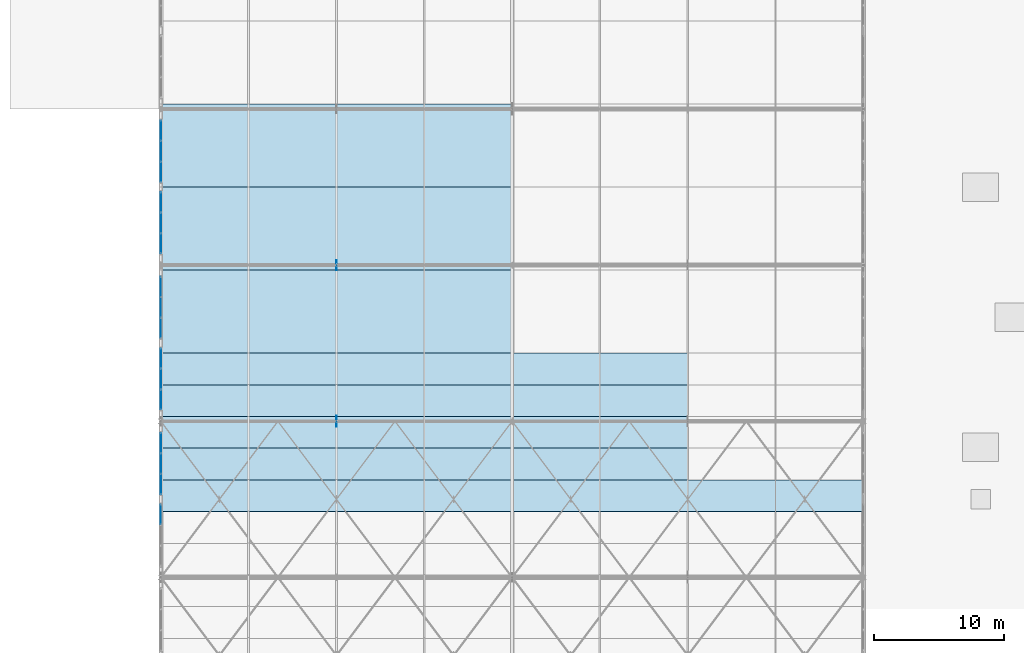
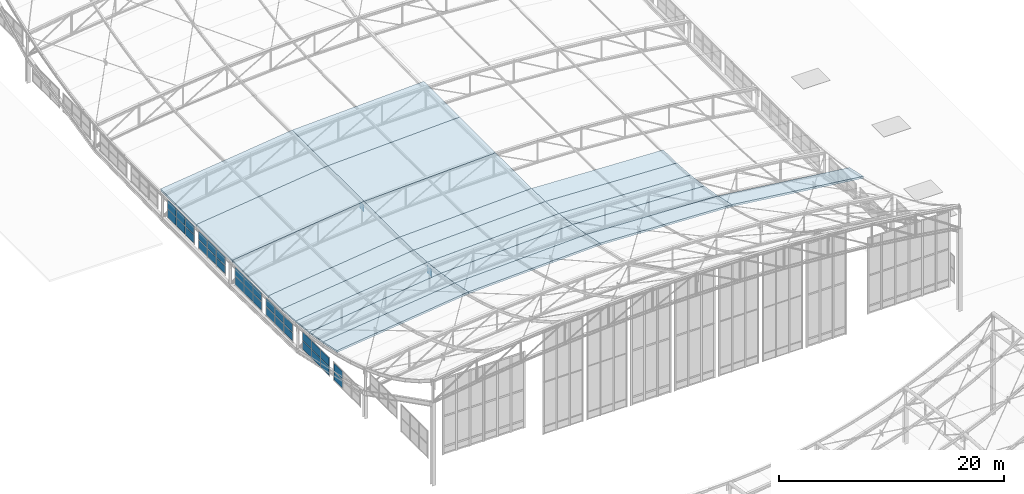
# One storey, part 223 of 262: 34 plates, 22 slabs, 6 elements without a shape of their own.
"""IFC4 building model written with IfcOpenShell, lengths in metres."""

from ifc_helpers import new_model, si_unit, derived_unit, direction, frame, origin, origin_2d, place, context, subcontext, project, spatial, polyline, rectangle, outline, extrude, material, layer, layer_set, type_object, element, aggregate, save


model = new_model("IFC4")

# Units and contexts
model_context = context("Model", 3, precision=1e-05, world=origin(), true_north=direction((0.0, 1.0)))
body_context = subcontext(model_context, "Body", "Model", "MODEL_VIEW")
ifc_project = project(units=[si_unit("LENGTHUNIT", "METRE"), si_unit("AREAUNIT", "SQUARE_METRE"), si_unit("VOLUMEUNIT", "CUBIC_METRE"), si_unit("PLANEANGLEUNIT", "RADIAN"), si_unit("MASSUNIT", "GRAM", prefix="KILO"), derived_unit("THERMALTRANSMITTANCEUNIT", [(si_unit("POWERUNIT", "WATT"), 1), (si_unit("LENGTHUNIT", "METRE"), -2), (si_unit("THERMODYNAMICTEMPERATUREUNIT", "KELVIN"), -1)])], contexts=[model_context])

# Site, building, storey
site_placement = place(None, origin())
site = spatial("IfcSite", under=ifc_project, at=site_placement, CompositionType="ELEMENT")
building_placement = place(site_placement, origin())
building = spatial("IfcBuilding", under=site, at=building_placement, Name="Almenara Railside Exhibition Hall", CompositionType="ELEMENT")
storey_placement = place(building_placement, frame((0.0, 0.0, 21.699951171875)))
storey = spatial("IfcBuildingStorey", under=building, at=storey_placement, Name="RF", CompositionType="ELEMENT", Elevation=21.699951171875)

# Curtain wall, plates
ifc_material_1 = material(Name="Bronze-anodised aluminium and low-E double glazing", Category="aluminium")
ifc_layer_1 = layer(ifc_material_1, 0.179931640625, Name="Bronze-anodised aluminium and low-E double glazing")
ifc_layer_set_1 = layer_set([ifc_layer_1], Name="Bronze-anodised aluminium and low-E double glazing")
curtain_wall_type = type_object("IfcCurtainWallType", Name="West Hall Clerestory Curtain Wall 4200x2400", PredefinedType="NOTDEFINED", material=ifc_layer_set_1)
curtain_wall_1_placement = place(storey_placement, origin())
curtain_wall_1 = element("IfcCurtainWall", 1, at=curtain_wall_1_placement, inside=storey, type_object=curtain_wall_type, Name="Curtain wall CW-CL1-180", PredefinedType="NOTDEFINED")
ifc_material_2 = material(Name="Solar-control acoustic laminated glazing", Category="glass")
ifc_layer_2 = layer(ifc_material_2, 0.031982421875, Name="Solar-control acoustic laminated glazing")
ifc_layer_set_2 = layer_set([ifc_layer_2], Name="Solar-control acoustic laminated glazing")
plate_type_1 = type_object("IfcPlateType", Name="Acoustic Low-E Double Glazing Panel 32mm", PredefinedType="CURTAIN_PANEL", material=ifc_layer_set_2)
plate_1_placement = place(storey_placement, frame((12.0, 85.666259765625, -1.92578125), z_axis=(0.0, 0.0, 1.0), x_axis=(0.0, 1.0, 0.0)))
plate_1 = element("IfcPlate", 2, at=plate_1_placement, type_object=plate_type_1, Name="CW-CL1-180 panel 1.1", PredefinedType="CURTAIN_PANEL", context=body_context, shape_type="SweptSolid", body=[
    extrude(rectangle(XDim=1.5185546875, YDim=0.031982421875, at=origin_2d()), origin(), (0.0, 0.0, 1.0), 0.846923828125),
])
plate_2_placement = place(storey_placement, frame((12.0, 85.666259765625, -0.970703125), z_axis=(0.0, 0.0, 1.0), x_axis=(0.0, 1.0, 0.0)))
plate_2 = element("IfcPlate", 3, at=plate_2_placement, type_object=plate_type_1, Name="CW-CL1-180 panel 1.2", PredefinedType="CURTAIN_PANEL", context=body_context, shape_type="SweptSolid", body=[
    extrude(rectangle(XDim=1.5185546875, YDim=0.031982421875, at=origin_2d()), origin(), (0.0, 0.0, 1.0), 0.846923828125),
])
plate_3_placement = place(storey_placement, frame((12.0, 87.25, -1.92578125), z_axis=(0.0, 0.0, 1.0), x_axis=(0.0, 1.0, 0.0)))
plate_3 = element("IfcPlate", 4, at=plate_3_placement, type_object=plate_type_1, Name="CW-CL1-180 panel 2.1", PredefinedType="CURTAIN_PANEL", context=body_context, shape_type="SweptSolid", body=[
    extrude(rectangle(XDim=1.551025390625, YDim=0.031982421875, at=origin_2d()), origin(), (0.0, 0.0, 1.0), 0.846923828125),
])
plate_4_placement = place(storey_placement, frame((12.0, 87.25, -0.970703125), z_axis=(0.0, 0.0, 1.0), x_axis=(0.0, 1.0, 0.0)))
plate_4 = element("IfcPlate", 5, at=plate_4_placement, type_object=plate_type_1, Name="CW-CL1-180 panel 2.2", PredefinedType="CURTAIN_PANEL", context=body_context, shape_type="SweptSolid", body=[
    extrude(rectangle(XDim=1.551025390625, YDim=0.031982421875, at=origin_2d()), origin(), (0.0, 0.0, 1.0), 0.846923828125),
])
plate_5_placement = place(storey_placement, frame((12.0, 88.833740234375, -1.92578125), z_axis=(0.0, 0.0, 1.0), x_axis=(0.0, 1.0, 0.0)))
plate_5 = element("IfcPlate", 6, at=plate_5_placement, type_object=plate_type_1, Name="CW-CL1-180 panel 3.1", PredefinedType="CURTAIN_PANEL", context=body_context, shape_type="SweptSolid", body=[
    extrude(rectangle(XDim=1.5185546875, YDim=0.031982421875, at=origin_2d()), origin(), (0.0, 0.0, 1.0), 0.846923828125),
])
plate_6_placement = place(storey_placement, frame((12.0, 88.833740234375, -0.970703125), z_axis=(0.0, 0.0, 1.0), x_axis=(0.0, 1.0, 0.0)))
plate_6 = element("IfcPlate", 7, at=plate_6_placement, type_object=plate_type_1, Name="CW-CL1-180 panel 3.2", PredefinedType="CURTAIN_PANEL", context=body_context, shape_type="SweptSolid", body=[
    extrude(rectangle(XDim=1.5185546875, YDim=0.031982421875, at=origin_2d()), origin(), (0.0, 0.0, 1.0), 0.846923828125),
])
aggregate(curtain_wall_1, [plate_1, plate_2, plate_3, plate_4, plate_5, plate_6])

curtain_wall_2_placement = place(storey_placement, origin())
curtain_wall_2 = element("IfcCurtainWall", 8, at=curtain_wall_2_placement, inside=storey, type_object=curtain_wall_type, Name="Curtain wall CW-CL1-172", PredefinedType="NOTDEFINED")
ifc_material_3 = material(Name="Clear low-E laminated double glazing", Category="glass")
ifc_layer_3 = layer(ifc_material_3, 0.02392578125, Name="Clear low-E laminated double glazing")
ifc_layer_set_3 = layer_set([ifc_layer_3], Name="Clear low-E laminated double glazing")
plate_type_2 = type_object("IfcPlateType", Name="Courtyard Clear Double Glazing Panel 24mm", PredefinedType="CURTAIN_PANEL", material=ifc_layer_set_3)
plate_7_placement = place(storey_placement, frame((12.0, 64.833740234375, -1.666015625), z_axis=(0.0, 0.0, 1.0), x_axis=(0.0, 1.0, 0.0)))
plate_7 = element("IfcPlate", 9, at=plate_7_placement, type_object=plate_type_2, Name="CW-CL1-172 panel 3.1", PredefinedType="CURTAIN_PANEL", context=body_context, shape_type="SweptSolid", body=[
    extrude(rectangle(XDim=1.5185546875, YDim=0.02392578125, at=origin_2d()), origin(), (0.0, 0.0, 1.0), 0.846923828125),
])
plate_8_placement = place(storey_placement, frame((12.0, 64.833740234375, -0.7109375), z_axis=(0.0, 0.0, 1.0), x_axis=(0.0, 1.0, 0.0)))
plate_8 = element("IfcPlate", 10, at=plate_8_placement, type_object=plate_type_2, Name="CW-CL1-172 panel 3.2", PredefinedType="CURTAIN_PANEL", context=body_context, shape_type="SweptSolid", body=[
    extrude(rectangle(XDim=1.5185546875, YDim=0.02392578125, at=origin_2d()), origin(), (0.0, 0.0, 1.0), 0.846923828125),
])
aggregate(curtain_wall_2, [plate_7, plate_8])

curtain_wall_3_placement = place(storey_placement, origin())
curtain_wall_3 = element("IfcCurtainWall", 11, at=curtain_wall_3_placement, inside=storey, type_object=curtain_wall_type, Name="Curtain wall CW-CL1-177", PredefinedType="NOTDEFINED")
plate_9_placement = place(storey_placement, frame((12.0, 79.1650390625, -1.9560546875), z_axis=(0.0, 0.0, 1.0), x_axis=(0.0, 1.0, 0.0)))
plate_9 = element("IfcPlate", 12, at=plate_9_placement, type_object=plate_type_2, Name="CW-CL1-177 panel 1.1", PredefinedType="CURTAIN_PANEL", context=body_context, shape_type="SweptSolid", body=[
    extrude(rectangle(XDim=1.52587890625, YDim=0.02392578125, at=origin_2d()), origin(), (0.0, 0.0, 1.0), 0.89208984375),
])
plate_10_placement = place(storey_placement, frame((12.0, 79.1650390625, -0.986083984375), z_axis=(0.0, 0.0, 1.0), x_axis=(0.0, 1.0, 0.0)))
plate_10 = element("IfcPlate", 13, at=plate_10_placement, type_object=plate_type_2, Name="CW-CL1-177 panel 1.2", PredefinedType="CURTAIN_PANEL", context=body_context, shape_type="SweptSolid", body=[
    extrude(rectangle(XDim=1.52587890625, YDim=0.02392578125, at=origin_2d()), origin(), (0.0, 0.0, 1.0), 0.89208984375),
])
plate_11_placement = place(storey_placement, frame((12.0, 80.75, -1.9560546875), z_axis=(0.0, 0.0, 1.0), x_axis=(0.0, 1.0, 0.0)))
plate_11 = element("IfcPlate", 14, at=plate_11_placement, type_object=plate_type_2, Name="CW-CL1-177 panel 2.1", PredefinedType="CURTAIN_PANEL", context=body_context, shape_type="SweptSolid", body=[
    extrude(rectangle(XDim=1.555908203125, YDim=0.02392578125, at=origin_2d()), origin(), (0.0, 0.0, 1.0), 0.89208984375),
])
plate_12_placement = place(storey_placement, frame((12.0, 80.75, -0.986083984375), z_axis=(0.0, 0.0, 1.0), x_axis=(0.0, 1.0, 0.0)))
plate_12 = element("IfcPlate", 15, at=plate_12_placement, type_object=plate_type_2, Name="CW-CL1-177 panel 2.2", PredefinedType="CURTAIN_PANEL", context=body_context, shape_type="SweptSolid", body=[
    extrude(rectangle(XDim=1.555908203125, YDim=0.02392578125, at=origin_2d()), origin(), (0.0, 0.0, 1.0), 0.89208984375),
])
plate_13_placement = place(storey_placement, frame((12.0, 82.3349609375, -1.9560546875), z_axis=(0.0, 0.0, 1.0), x_axis=(0.0, 1.0, 0.0)))
plate_13 = element("IfcPlate", 16, at=plate_13_placement, type_object=plate_type_2, Name="CW-CL1-177 panel 3.1", PredefinedType="CURTAIN_PANEL", context=body_context, shape_type="SweptSolid", body=[
    extrude(rectangle(XDim=1.52587890625, YDim=0.02392578125, at=origin_2d()), origin(), (0.0, 0.0, 1.0), 0.89208984375),
])
plate_14_placement = place(storey_placement, frame((12.0, 82.3349609375, -0.986083984375), z_axis=(0.0, 0.0, 1.0), x_axis=(0.0, 1.0, 0.0)))
plate_14 = element("IfcPlate", 17, at=plate_14_placement, type_object=plate_type_2, Name="CW-CL1-177 panel 3.2", PredefinedType="CURTAIN_PANEL", context=body_context, shape_type="SweptSolid", body=[
    extrude(rectangle(XDim=1.52587890625, YDim=0.02392578125, at=origin_2d()), origin(), (0.0, 0.0, 1.0), 0.89208984375),
])
aggregate(curtain_wall_3, [plate_9, plate_10, plate_11, plate_12, plate_13, plate_14])

# Slabs
ifc_material_4 = material(Name="Planted green roof insulated steel S355JR deck", Category="steel")
ifc_layer_4 = layer(ifc_material_4, 0.2451171875, Name="Planted green roof insulated steel S355JR deck")
ifc_layer_set_4 = layer_set([ifc_layer_4], Name="Planted green roof insulated steel S355JR deck")
slab_type_1 = type_object("IfcSlabType", Name="Flat Planted Hall Roof Deck 245mm S355JR", PredefinedType="ROOF", material=ifc_layer_set_4)
slab_1_placement = place(storey_placement, frame((12.0, 77.240478515625, 0.340087890625), z_axis=(-0.121312355276, 0.0, 0.992614382556), x_axis=(0.992614382556, 0.0, 0.121312355276)))
element("IfcSlab", 18, at=slab_1_placement, inside=storey, type_object=slab_type_1, Name="V1 roof cassette RC-V1-13A", PredefinedType="ROOF", context=body_context, shape_type="SweptSolid", body=[
    extrude(outline(polyline([(0.0, 0.0), (13.600447703804157, 0.0), (13.600447703804157, 6.379638671875), (0.0, 6.379638671875), (0.0, 0.0)])), origin(), (0.0, 0.0, -1.0), 0.2451171875),
])
slab_2_placement = place(storey_placement, frame((25.5, 77.240478515625, 1.989990234375), z_axis=(-0.04071057978, 0.0, 0.99917098071), x_axis=(0.99917098071, 0.0, 0.04071057978)))
element("IfcSlab", 19, at=slab_2_placement, inside=storey, type_object=slab_type_1, Name="V1 roof cassette RC-V1-13B", PredefinedType="ROOF", context=body_context, shape_type="SweptSolid", body=[
    extrude(outline(polyline([(0.0, 0.0), (13.511201046291989, 0.0), (13.511201046291989, 6.379638671875), (0.0, 6.379638671875), (0.0, 0.0)])), origin(), (0.0, 0.0, -1.0), 0.2451171875),
])
slab_3_placement = place(storey_placement, frame((12.0, 83.6201171875, 0.340087890625), z_axis=(-0.121312355276, 0.0, 0.992614382556), x_axis=(0.992614382556, 0.0, 0.121312355276)))
element("IfcSlab", 20, at=slab_3_placement, inside=storey, type_object=slab_type_1, Name="V1 roof cassette RC-V1-14A", PredefinedType="ROOF", context=body_context, shape_type="SweptSolid", body=[
    extrude(outline(polyline([(0.0, 0.0), (13.600447703804157, 0.0), (13.600447703804157, 6.3798828125), (0.0, 6.3798828125), (0.0, 0.0)])), origin(), (0.0, 0.0, -1.0), 0.2451171875),
])
slab_4_placement = place(storey_placement, frame((25.5, 83.6201171875, 1.989990234375), z_axis=(-0.04071057978, 0.0, 0.99917098071), x_axis=(0.99917098071, 0.0, 0.04071057978)))
element("IfcSlab", 21, at=slab_4_placement, inside=storey, type_object=slab_type_1, Name="V1 roof cassette RC-V1-14B", PredefinedType="ROOF", context=body_context, shape_type="SweptSolid", body=[
    extrude(outline(polyline([(0.0, 0.0), (13.511201046291989, 0.0), (13.511201046291989, 6.3798828125), (0.0, 6.3798828125), (0.0, 0.0)])), origin(), (0.0, 0.0, -1.0), 0.2451171875),
])
slab_5_placement = place(storey_placement, frame((12.0, 90.0, 0.340087890625), z_axis=(-0.121312355276, 0.0, 0.992614382556), x_axis=(0.992614382556, 0.0, 0.121312355276)))
element("IfcSlab", 22, at=slab_5_placement, inside=storey, type_object=slab_type_1, Name="V1 roof cassette RC-V1-15A", PredefinedType="ROOF", context=body_context, shape_type="SweptSolid", body=[
    extrude(outline(polyline([(0.0, 0.0), (13.600447703804157, 0.0), (13.600447703804157, 6.3798828125), (0.0, 6.3798828125), (0.0, 0.0)])), origin(), (0.0, 0.0, -1.0), 0.2451171875),
])
slab_6_placement = place(storey_placement, frame((25.5, 90.0, 1.989990234375), z_axis=(-0.04071057978, 0.0, 0.99917098071), x_axis=(0.99917098071, 0.0, 0.04071057978)))
element("IfcSlab", 23, at=slab_6_placement, inside=storey, type_object=slab_type_1, Name="V1 roof cassette RC-V1-15B", PredefinedType="ROOF", context=body_context, shape_type="SweptSolid", body=[
    extrude(outline(polyline([(0.0, 0.0), (13.511201046291989, 0.0), (13.511201046291989, 6.3798828125), (0.0, 6.3798828125), (0.0, 0.0)])), origin(), (0.0, 0.0, -1.0), 0.2451171875),
])

# Curtain wall, plates
curtain_wall_4_placement = place(storey_placement, origin())
curtain_wall_4 = element("IfcCurtainWall", 24, at=curtain_wall_4_placement, inside=storey, type_object=curtain_wall_type, Name="Curtain wall CW-CL1-173", PredefinedType="NOTDEFINED")
ifc_material_5 = material(Name="Bronze-anodised insulated aluminium spandrel", Category="aluminium")
ifc_layer_5 = layer(ifc_material_5, 0.0400390625, Name="Bronze-anodised insulated aluminium spandrel")
ifc_layer_set_5 = layer_set([ifc_layer_5], Name="Bronze-anodised insulated aluminium spandrel")
plate_type_3 = type_object("IfcPlateType", Name="Insulated Bronze Spandrel Panel 40mm", PredefinedType="CURTAIN_PANEL", material=ifc_layer_set_5)
plate_15_placement = place(storey_placement, frame((12.0, 67.1650390625, -1.696044921875), z_axis=(0.0, 0.0, 1.0), x_axis=(0.0, 1.0, 0.0)))
plate_15 = element("IfcPlate", 25, at=plate_15_placement, type_object=plate_type_3, Name="CW-CL1-173 panel 1.1", PredefinedType="CURTAIN_PANEL", context=body_context, shape_type="SweptSolid", body=[
    extrude(rectangle(XDim=1.52587890625, YDim=0.0400390625, at=origin_2d()), origin(), (0.0, 0.0, 1.0), 0.89208984375),
])
plate_16_placement = place(storey_placement, frame((12.0, 67.1650390625, -0.72607421875), z_axis=(0.0, 0.0, 1.0), x_axis=(0.0, 1.0, 0.0)))
plate_16 = element("IfcPlate", 26, at=plate_16_placement, type_object=plate_type_3, Name="CW-CL1-173 panel 1.2", PredefinedType="CURTAIN_PANEL", context=body_context, shape_type="SweptSolid", body=[
    extrude(rectangle(XDim=1.52587890625, YDim=0.0400390625, at=origin_2d()), origin(), (0.0, 0.0, 1.0), 0.89208984375),
])
plate_17_placement = place(storey_placement, frame((12.0, 68.75, -1.696044921875), z_axis=(0.0, 0.0, 1.0), x_axis=(0.0, 1.0, 0.0)))
plate_17 = element("IfcPlate", 27, at=plate_17_placement, type_object=plate_type_3, Name="CW-CL1-173 panel 2.1", PredefinedType="CURTAIN_PANEL", context=body_context, shape_type="SweptSolid", body=[
    extrude(rectangle(XDim=1.555908203125, YDim=0.0400390625, at=origin_2d()), origin(), (0.0, 0.0, 1.0), 0.89208984375),
])
plate_18_placement = place(storey_placement, frame((12.0, 68.75, -0.72607421875), z_axis=(0.0, 0.0, 1.0), x_axis=(0.0, 1.0, 0.0)))
plate_18 = element("IfcPlate", 28, at=plate_18_placement, type_object=plate_type_3, Name="CW-CL1-173 panel 2.2", PredefinedType="CURTAIN_PANEL", context=body_context, shape_type="SweptSolid", body=[
    extrude(rectangle(XDim=1.555908203125, YDim=0.0400390625, at=origin_2d()), origin(), (0.0, 0.0, 1.0), 0.89208984375),
])
plate_19_placement = place(storey_placement, frame((12.0, 70.3349609375, -1.696044921875), z_axis=(0.0, 0.0, 1.0), x_axis=(0.0, 1.0, 0.0)))
plate_19 = element("IfcPlate", 29, at=plate_19_placement, type_object=plate_type_3, Name="CW-CL1-173 panel 3.1", PredefinedType="CURTAIN_PANEL", context=body_context, shape_type="SweptSolid", body=[
    extrude(rectangle(XDim=1.52587890625, YDim=0.0400390625, at=origin_2d()), origin(), (0.0, 0.0, 1.0), 0.89208984375),
])
plate_20_placement = place(storey_placement, frame((12.0, 70.3349609375, -0.72607421875), z_axis=(0.0, 0.0, 1.0), x_axis=(0.0, 1.0, 0.0)))
plate_20 = element("IfcPlate", 30, at=plate_20_placement, type_object=plate_type_3, Name="CW-CL1-173 panel 3.2", PredefinedType="CURTAIN_PANEL", context=body_context, shape_type="SweptSolid", body=[
    extrude(rectangle(XDim=1.52587890625, YDim=0.0400390625, at=origin_2d()), origin(), (0.0, 0.0, 1.0), 0.89208984375),
])
aggregate(curtain_wall_4, [plate_15, plate_16, plate_17, plate_18, plate_19, plate_20])

curtain_wall_5_placement = place(storey_placement, origin())
curtain_wall_5 = element("IfcCurtainWall", 31, at=curtain_wall_5_placement, inside=storey, type_object=curtain_wall_type, Name="Curtain wall CW-CL1-176", PredefinedType="NOTDEFINED")
ifc_material_6 = material(Name="Solar-control low-E laminated double glazing", Category="glass")
ifc_layer_6 = layer(ifc_material_6, 0.028076171875, Name="Solar-control low-E laminated double glazing")
ifc_layer_set_6 = layer_set([ifc_layer_6], Name="Solar-control low-E laminated double glazing")
plate_type_4 = type_object("IfcPlateType", Name="Low-E Solar Control Double Glazing Panel 28mm", PredefinedType="CURTAIN_PANEL", material=ifc_layer_set_6)
plate_21_placement = place(storey_placement, frame((12.0, 73.666259765625, -1.92578125), z_axis=(0.0, 0.0, 1.0), x_axis=(0.0, 1.0, 0.0)))
plate_21 = element("IfcPlate", 32, at=plate_21_placement, type_object=plate_type_4, Name="CW-CL1-176 panel 1.1", PredefinedType="CURTAIN_PANEL", context=body_context, shape_type="SweptSolid", body=[
    extrude(rectangle(XDim=1.5185546875, YDim=0.028076171875, at=origin_2d()), origin(), (0.0, 0.0, 1.0), 0.846923828125),
])
plate_22_placement = place(storey_placement, frame((12.0, 73.666259765625, -0.970703125), z_axis=(0.0, 0.0, 1.0), x_axis=(0.0, 1.0, 0.0)))
plate_22 = element("IfcPlate", 33, at=plate_22_placement, type_object=plate_type_4, Name="CW-CL1-176 panel 1.2", PredefinedType="CURTAIN_PANEL", context=body_context, shape_type="SweptSolid", body=[
    extrude(rectangle(XDim=1.5185546875, YDim=0.028076171875, at=origin_2d()), origin(), (0.0, 0.0, 1.0), 0.846923828125),
])
plate_23_placement = place(storey_placement, frame((12.0, 75.25, -1.92578125), z_axis=(0.0, 0.0, 1.0), x_axis=(0.0, 1.0, 0.0)))
plate_23 = element("IfcPlate", 34, at=plate_23_placement, type_object=plate_type_4, Name="CW-CL1-176 panel 2.1", PredefinedType="CURTAIN_PANEL", context=body_context, shape_type="SweptSolid", body=[
    extrude(rectangle(XDim=1.551025390625, YDim=0.028076171875, at=origin_2d()), origin(), (0.0, 0.0, 1.0), 0.846923828125),
])
plate_24_placement = place(storey_placement, frame((12.0, 75.25, -0.970703125), z_axis=(0.0, 0.0, 1.0), x_axis=(0.0, 1.0, 0.0)))
plate_24 = element("IfcPlate", 35, at=plate_24_placement, type_object=plate_type_4, Name="CW-CL1-176 panel 2.2", PredefinedType="CURTAIN_PANEL", context=body_context, shape_type="SweptSolid", body=[
    extrude(rectangle(XDim=1.551025390625, YDim=0.028076171875, at=origin_2d()), origin(), (0.0, 0.0, 1.0), 0.846923828125),
])
plate_25_placement = place(storey_placement, frame((12.0, 76.833740234375, -1.92578125), z_axis=(0.0, 0.0, 1.0), x_axis=(0.0, 1.0, 0.0)))
plate_25 = element("IfcPlate", 36, at=plate_25_placement, type_object=plate_type_4, Name="CW-CL1-176 panel 3.1", PredefinedType="CURTAIN_PANEL", context=body_context, shape_type="SweptSolid", body=[
    extrude(rectangle(XDim=1.5185546875, YDim=0.028076171875, at=origin_2d()), origin(), (0.0, 0.0, 1.0), 0.846923828125),
])
plate_26_placement = place(storey_placement, frame((12.0, 76.833740234375, -0.970703125), z_axis=(0.0, 0.0, 1.0), x_axis=(0.0, 1.0, 0.0)))
plate_26 = element("IfcPlate", 37, at=plate_26_placement, type_object=plate_type_4, Name="CW-CL1-176 panel 3.2", PredefinedType="CURTAIN_PANEL", context=body_context, shape_type="SweptSolid", body=[
    extrude(rectangle(XDim=1.5185546875, YDim=0.028076171875, at=origin_2d()), origin(), (0.0, 0.0, 1.0), 0.846923828125),
])
aggregate(curtain_wall_5, [plate_21, plate_22, plate_23, plate_24, plate_25, plate_26])

curtain_wall_6_placement = place(storey_placement, origin())
curtain_wall_6 = element("IfcCurtainWall", 38, at=curtain_wall_6_placement, inside=storey, type_object=curtain_wall_type, Name="Curtain wall CW-CL1-181", PredefinedType="NOTDEFINED")
plate_27_placement = place(storey_placement, frame((12.0, 91.1650390625, -1.9560546875), z_axis=(0.0, 0.0, 1.0), x_axis=(0.0, 1.0, 0.0)))
plate_27 = element("IfcPlate", 39, at=plate_27_placement, type_object=plate_type_4, Name="CW-CL1-181 panel 1.1", PredefinedType="CURTAIN_PANEL", context=body_context, shape_type="SweptSolid", body=[
    extrude(rectangle(XDim=1.52587890625, YDim=0.028076171875, at=origin_2d()), origin(), (0.0, 0.0, 1.0), 0.89208984375),
])
plate_28_placement = place(storey_placement, frame((12.0, 91.1650390625, -0.986083984375), z_axis=(0.0, 0.0, 1.0), x_axis=(0.0, 1.0, 0.0)))
plate_28 = element("IfcPlate", 40, at=plate_28_placement, type_object=plate_type_4, Name="CW-CL1-181 panel 1.2", PredefinedType="CURTAIN_PANEL", context=body_context, shape_type="SweptSolid", body=[
    extrude(rectangle(XDim=1.52587890625, YDim=0.028076171875, at=origin_2d()), origin(), (0.0, 0.0, 1.0), 0.89208984375),
])
plate_29_placement = place(storey_placement, frame((12.0, 92.75, -1.9560546875), z_axis=(0.0, 0.0, 1.0), x_axis=(0.0, 1.0, 0.0)))
plate_29 = element("IfcPlate", 41, at=plate_29_placement, type_object=plate_type_4, Name="CW-CL1-181 panel 2.1", PredefinedType="CURTAIN_PANEL", context=body_context, shape_type="SweptSolid", body=[
    extrude(rectangle(XDim=1.555908203125, YDim=0.028076171875, at=origin_2d()), origin(), (0.0, 0.0, 1.0), 0.89208984375),
])
plate_30_placement = place(storey_placement, frame((12.0, 92.75, -0.986083984375), z_axis=(0.0, 0.0, 1.0), x_axis=(0.0, 1.0, 0.0)))
plate_30 = element("IfcPlate", 42, at=plate_30_placement, type_object=plate_type_4, Name="CW-CL1-181 panel 2.2", PredefinedType="CURTAIN_PANEL", context=body_context, shape_type="SweptSolid", body=[
    extrude(rectangle(XDim=1.555908203125, YDim=0.028076171875, at=origin_2d()), origin(), (0.0, 0.0, 1.0), 0.89208984375),
])
plate_31_placement = place(storey_placement, frame((12.0, 94.3349609375, -1.9560546875), z_axis=(0.0, 0.0, 1.0), x_axis=(0.0, 1.0, 0.0)))
plate_31 = element("IfcPlate", 43, at=plate_31_placement, type_object=plate_type_4, Name="CW-CL1-181 panel 3.1", PredefinedType="CURTAIN_PANEL", context=body_context, shape_type="SweptSolid", body=[
    extrude(rectangle(XDim=1.52587890625, YDim=0.028076171875, at=origin_2d()), origin(), (0.0, 0.0, 1.0), 0.89208984375),
])
plate_32_placement = place(storey_placement, frame((12.0, 94.3349609375, -0.986083984375), z_axis=(0.0, 0.0, 1.0), x_axis=(0.0, 1.0, 0.0)))
plate_32 = element("IfcPlate", 44, at=plate_32_placement, type_object=plate_type_4, Name="CW-CL1-181 panel 3.2", PredefinedType="CURTAIN_PANEL", context=body_context, shape_type="SweptSolid", body=[
    extrude(rectangle(XDim=1.52587890625, YDim=0.028076171875, at=origin_2d()), origin(), (0.0, 0.0, 1.0), 0.89208984375),
])
aggregate(curtain_wall_6, [plate_27, plate_28, plate_29, plate_30, plate_31, plate_32])

# Slabs
ifc_material_7 = material(Name="White standing-seam insulated steel S355JR roof deck", Category="steel")
ifc_layer_7 = layer(ifc_material_7, 0.195068359375, Name="White standing-seam insulated steel S355JR roof deck")
ifc_layer_set_7 = layer_set([ifc_layer_7], Name="White standing-seam insulated steel S355JR roof deck")
slab_type_2 = type_object("IfcSlabType", Name="Scroll Standing-Seam Insulated Roof Cassette 195mm S355JR", PredefinedType="ROOF", material=ifc_layer_set_7)
slab_7_placement = place(storey_placement, frame((12.0, 65.056884765625, 1.78759765625), z_axis=(-0.118621204228, 0.209464052234, 0.970594570729), x_axis=(0.992614382556, 0.0, 0.121312355276)))
element("IfcSlab", 45, at=slab_7_placement, inside=storey, type_object=slab_type_2, Name="V1 roof cassette RC-V1-08A", PredefinedType="ROOF", context=body_context, shape_type="SweptSolid", body=[
    extrude(outline(polyline([(0.0, 0.0), (13.600447703804157, -5.551115123125783e-17), (13.536652095097256, 2.4920503554602567), (-0.0637956087069011, 2.4920503554602567), (0.0, 0.0)])), origin(), (0.0, 0.0, -1.0), 0.195068359375),
])
slab_8_placement = place(storey_placement, frame((25.5, 65.056884765625, 3.4375), z_axis=(-0.039795900698, 0.210786361166, 0.976721759886), x_axis=(0.99917098071, 0.0, 0.04071057978)))
element("IfcSlab", 46, at=slab_8_placement, inside=storey, type_object=slab_type_2, Name="V1 roof cassette RC-V1-08B", PredefinedType="ROOF", context=body_context, shape_type="SweptSolid", body=[
    extrude(outline(polyline([(0.0, 0.0), (13.511201046291989, -1.3877787807814457e-17), (13.489792211124232, 2.4927748626012405), (-0.021408835167755384, 2.4927748626012405), (0.0, 0.0)])), origin(), (0.0, 0.0, -1.0), 0.195068359375),
])
slab_9_placement = place(storey_placement, frame((39.0, 65.056884765625, 3.987548828125), z_axis=(0.039795900698, 0.210786361166, 0.976721759886), x_axis=(0.99917098071, 0.0, -0.04071057978)))
element("IfcSlab", 47, at=slab_9_placement, inside=storey, type_object=slab_type_2, Name="V1 roof cassette RC-V1-08C", PredefinedType="ROOF", context=body_context, shape_type="SweptSolid", body=[
    extrude(outline(polyline([(0.0, 0.0), (13.511201046291989, 1.3877787807814457e-17), (13.532609881459743, 2.4927748626012405), (0.021408835167755384, 2.4927748626012405), (0.0, 0.0)])), origin(), (0.0, 0.0, -1.0), 0.195068359375),
])
slab_10_placement = place(storey_placement, frame((52.5, 65.056884765625, 3.4375), z_axis=(0.118621204228, 0.209464052234, 0.970594570729), x_axis=(0.992614382556, 0.0, -0.121312355276)))
element("IfcSlab", 48, at=slab_10_placement, inside=storey, type_object=slab_type_2, Name="V1 roof cassette RC-V1-08D", PredefinedType="ROOF", context=body_context, shape_type="SweptSolid", body=[
    extrude(outline(polyline([(0.0, 0.0), (13.600447703804157, 5.551115123125783e-17), (13.664243312511058, 2.492050355460257), (0.0637956087069011, 2.4920503554602567), (0.0, 0.0)])), origin(), (0.0, 0.0, -1.0), 0.195068359375),
])
slab_11_placement = place(storey_placement, frame((12.0, 67.49365234375, 1.26171875), z_axis=(-0.119692276774, 0.162882973753, 0.979358410257), x_axis=(0.992614382556, 0.0, 0.121312355276)))
element("IfcSlab", 49, at=slab_11_placement, inside=storey, type_object=slab_type_2, Name="V1 roof cassette RC-V1-09A", PredefinedType="ROOF", context=body_context, shape_type="SweptSolid", body=[
    extrude(outline(polyline([(0.0, 0.0), (13.600447703804157, 5.551115123125783e-17), (13.551283028570426, 2.4697501136053033), (-0.04916467523373066, 2.4697501136053033), (0.0, 0.0)])), origin(), (0.0, 0.0, -1.0), 0.195068359375),
])
slab_12_placement = place(storey_placement, frame((25.5, 67.49365234375, 2.91162109375), z_axis=(-0.040159845601, 0.163930057659, 0.985654159935), x_axis=(0.99917098071, 0.0, 0.04071057978)))
element("IfcSlab", 50, at=slab_12_placement, inside=storey, type_object=slab_type_2, Name="V1 roof cassette RC-V1-09B", PredefinedType="ROOF", context=body_context, shape_type="SweptSolid", body=[
    extrude(outline(polyline([(0.0, 0.0), (13.511201046291989, 0.0), (13.494702129681741, 2.4701843199840234), (-0.016498916610247882, 2.4701843199840234), (0.0, 0.0)])), origin(), (0.0, 0.0, -1.0), 0.195068359375),
])
slab_13_placement = place(storey_placement, frame((39.0, 67.49365234375, 3.461669921875), z_axis=(0.040159845601, 0.163930057659, 0.985654159935), x_axis=(0.99917098071, 0.0, -0.04071057978)))
element("IfcSlab", 51, at=slab_13_placement, inside=storey, type_object=slab_type_2, Name="V1 roof cassette RC-V1-09C", PredefinedType="ROOF", context=body_context, shape_type="SweptSolid", body=[
    extrude(outline(polyline([(0.0, 0.0), (13.511201046291989, 0.0), (13.527699962902236, 2.4701843199840234), (0.016498916610247882, 2.4701843199840234), (0.0, 0.0)])), origin(), (0.0, 0.0, -1.0), 0.195068359375),
])
slab_14_placement = place(storey_placement, frame((12.0, 69.930419921875, 0.8564453125), z_axis=(-0.12049765247, 0.116319455065, 0.985875296436), x_axis=(0.992613316349, 1.029274e-06, 0.121321078982)))
element("IfcSlab", 52, at=slab_14_placement, inside=storey, type_object=slab_type_2, Name="V1 roof cassette RC-V1-10A", PredefinedType="ROOF", context=body_context, shape_type="SweptSolid", body=[
    extrude(outline(polyline([(0.0, 0.0), (13.600447703271705, 0.0), (13.565588172558076, 2.453161899073134), (-0.034889150117677376, 2.4531900876385815), (0.0, 0.0)])), origin(), (0.0, 0.0, -1.0), 0.195068359375),
])
slab_15_placement = place(storey_placement, frame((25.5, 69.930419921875, 2.50634765625), z_axis=(-0.040421646666, 0.117077460269, 0.992299833104), x_axis=(0.999171343138, -1.049621e-06, 0.040701683635)))
element("IfcSlab", 53, at=slab_15_placement, inside=storey, type_object=slab_type_2, Name="V1 roof cassette RC-V1-10B", PredefinedType="ROOF", context=body_context, shape_type="SweptSolid", body=[
    extrude(outline(polyline([(0.0, 0.0), (13.511201045749008, 0.0), (13.499492779505053, 2.4534102337758976), (-0.011698329309474785, 2.453381674107734), (0.0, 0.0)])), origin(), (0.0, 0.0, -1.0), 0.195068359375),
])
slab_16_placement = place(storey_placement, frame((39.0, 69.930419921875, 3.056396484375), z_axis=(0.040421646666, 0.117077460269, 0.992299833104), x_axis=(0.999171343138, 1.049621e-06, -0.040701683635)))
element("IfcSlab", 54, at=slab_16_placement, inside=storey, type_object=slab_type_2, Name="V1 roof cassette RC-V1-10C", PredefinedType="ROOF", context=body_context, shape_type="SweptSolid", body=[
    extrude(outline(polyline([(0.0, 0.0), (13.511201045749008, 0.0), (13.522899375058484, 2.453381674107734), (0.01170826624395608, 2.453410233775898), (0.0, 0.0)])), origin(), (0.0, 0.0, -1.0), 0.195068359375),
])
slab_17_placement = place(storey_placement, frame((12.0, 72.366943359375, 0.56884765625), z_axis=(-0.121025359122, 0.069792671838, 0.990192832436), x_axis=(0.99261329646, -6.20277e-07, 0.121321241711)))
element("IfcSlab", 55, at=slab_17_placement, inside=storey, type_object=slab_type_2, Name="V1 roof cassette RC-V1-11A", PredefinedType="ROOF", context=body_context, shape_type="SweptSolid", body=[
    extrude(outline(polyline([(0.0, 0.0), (13.600477322700291, 0.0), (13.57962372281095, 2.442732559693655), (-0.02082398044556303, 2.4427156463491744), (0.0, 0.0)])), origin(), (0.0, 0.0, -1.0), 0.195068359375),
])
slab_18_placement = place(storey_placement, frame((25.5, 72.366943359375, 2.218994140625), z_axis=(-0.040600999075, 0.070251513229, 0.996702705807), x_axis=(0.999171349988, 6.32612e-07, 0.040701515485)))
element("IfcSlab", 56, at=slab_18_placement, inside=storey, type_object=slab_type_2, Name="V1 roof cassette RC-V1-11B", PredefinedType="ROOF", context=body_context, shape_type="SweptSolid", body=[
    extrude(outline(polyline([(0.0, 0.0), (13.511191108839881, -6.938893903907228e-18), (13.504207014288866, 2.4427944222368003), (-0.006994031444444025, 2.442811559279036), (0.0, 0.0)])), origin(), (0.0, 0.0, -1.0), 0.195068359375),
])
slab_19_placement = place(storey_placement, frame((39.0, 72.366943359375, 2.768798828125), z_axis=(0.040600999075, 0.070251513229, 0.996702705807), x_axis=(0.999171349988, -6.32612e-07, -0.040701515485)))
element("IfcSlab", 57, at=slab_19_placement, inside=storey, type_object=slab_type_2, Name="V1 roof cassette RC-V1-11C", PredefinedType="ROOF", context=body_context, shape_type="SweptSolid", body=[
    extrude(outline(polyline([(0.0, 0.0), (13.511191108839881, 6.938893903907228e-18), (13.518185140284327, 2.4428115592790363), (0.006984094551015089, 2.4427944222368008), (0.0, 0.0)])), origin(), (0.0, 0.0, -1.0), 0.195068359375),
])
slab_20_placement = place(storey_placement, frame((12.0, 74.8037109375, 0.397216796875), z_axis=(-0.121279519792, 0.023265093355, 0.992345712698), x_axis=(0.992614382556, 0.0, 0.121312355276)))
element("IfcSlab", 58, at=slab_20_placement, inside=storey, type_object=slab_type_2, Name="V1 roof cassette RC-V1-12A", PredefinedType="ROOF", context=body_context, shape_type="SweptSolid", body=[
    extrude(outline(polyline([(0.0, 0.0), (13.600447703804157, 0.0), (13.593517261632655, 2.4374273139320084), (-0.006930442171501791, 2.4374273139320084), (0.0, 0.0)])), origin(), (0.0, 0.0, -1.0), 0.195068359375),
])
slab_21_placement = place(storey_placement, frame((25.5, 74.8037109375, 2.047119140625), z_axis=(-0.040699414701, 0.023418684202, 0.99889695308), x_axis=(0.99917098071, 0.0, 0.04071057978)))
element("IfcSlab", 59, at=slab_21_placement, inside=storey, type_object=slab_type_2, Name="V1 roof cassette RC-V1-12B", PredefinedType="ROOF", context=body_context, shape_type="SweptSolid", body=[
    extrude(outline(polyline([(0.0, 0.0), (13.511201046291989, 0.0), (13.508875295396328, 2.437436057133248), (-0.0023257508956614483, 2.437436057133248), (0.0, 0.0)])), origin(), (0.0, 0.0, -1.0), 0.195068359375),
])
slab_22_placement = place(storey_placement, frame((39.0, 74.8037109375, 2.59716796875), z_axis=(0.040699414701, 0.023418684202, 0.99889695308), x_axis=(0.99917098071, 0.0, -0.04071057978)))
element("IfcSlab", 60, at=slab_22_placement, inside=storey, type_object=slab_type_2, Name="V1 roof cassette RC-V1-12C", PredefinedType="ROOF", context=body_context, shape_type="SweptSolid", body=[
    extrude(outline(polyline([(0.0, 0.0), (13.511201046291989, 0.0), (13.51352679718765, 2.4374360571332483), (0.0023257508956614483, 2.437436057133248), (0.0, 0.0)])), origin(), (0.0, 0.0, -1.0), 0.195068359375),
])

# Plates
ifc_material_8 = material(Name="Structural steel S355JR", Category="steel")
ifc_layer_8 = layer(ifc_material_8, 0.02392578125, Name="Structural steel S355JR")
ifc_layer_set_8 = layer_set([ifc_layer_8], Name="Structural steel S355JR")
plate_type_5 = type_object("IfcPlateType", Name="Truss Node Gusset Plate 24mm S355JR", PredefinedType="USERDEFINED", material=ifc_layer_set_8)
plate_33_placement = place(storey_placement, frame((25.5, 84.0, 0.824951171875), z_axis=(0.0, 0.0, 1.0), x_axis=(0.0, 1.0, 0.0)))
element("IfcPlate", 61, at=plate_33_placement, inside=storey, type_object=plate_type_5, Name="PLT-GUS-0017", ObjectType="GUSSET_PLATE", PredefinedType="USERDEFINED", context=body_context, shape_type="SweptSolid", body=[
    extrude(rectangle(XDim=0.75, YDim=0.02392578125, at=origin_2d()), origin(), (0.0, 0.0, 1.0), 0.75),
])
ifc_layer_9 = layer(ifc_material_8, 0.028076171875, Name="Structural steel S355JR")
ifc_layer_set_9 = layer_set([ifc_layer_9], Name="Structural steel S355JR")
plate_type_6 = type_object("IfcPlateType", Name="Truss Node Gusset Plate 28mm S355JR", PredefinedType="USERDEFINED", material=ifc_layer_set_9)
plate_34_placement = place(storey_placement, frame((25.5, 72.0, 1.039794921875), z_axis=(0.0, 0.0, 1.0), x_axis=(0.0, 1.0, 0.0)))
element("IfcPlate", 62, at=plate_34_placement, inside=storey, type_object=plate_type_6, Name="PLT-GUS-0012", ObjectType="GUSSET_PLATE", PredefinedType="USERDEFINED", context=body_context, shape_type="SweptSolid", body=[
    extrude(rectangle(XDim=0.85009765625, YDim=0.028076171875, at=origin_2d()), origin(), (0.0, 0.0, 1.0), 0.85009765625),
])

save(model, "model.ifc")
